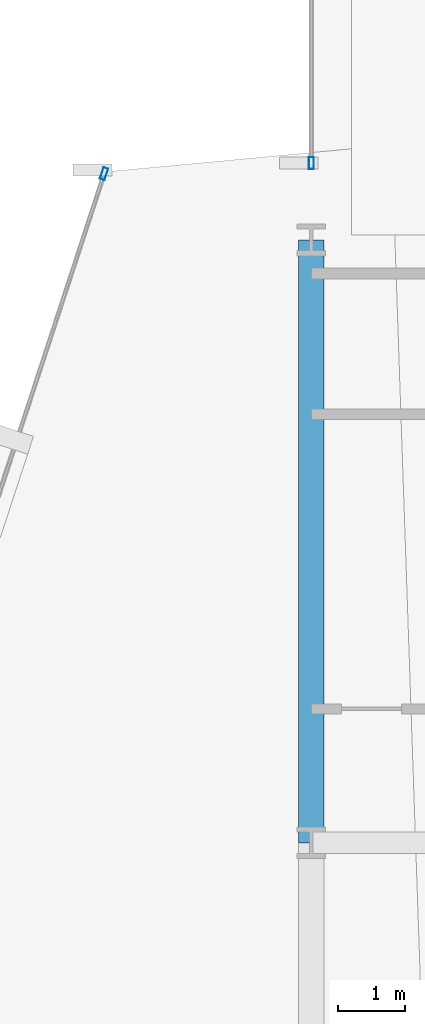
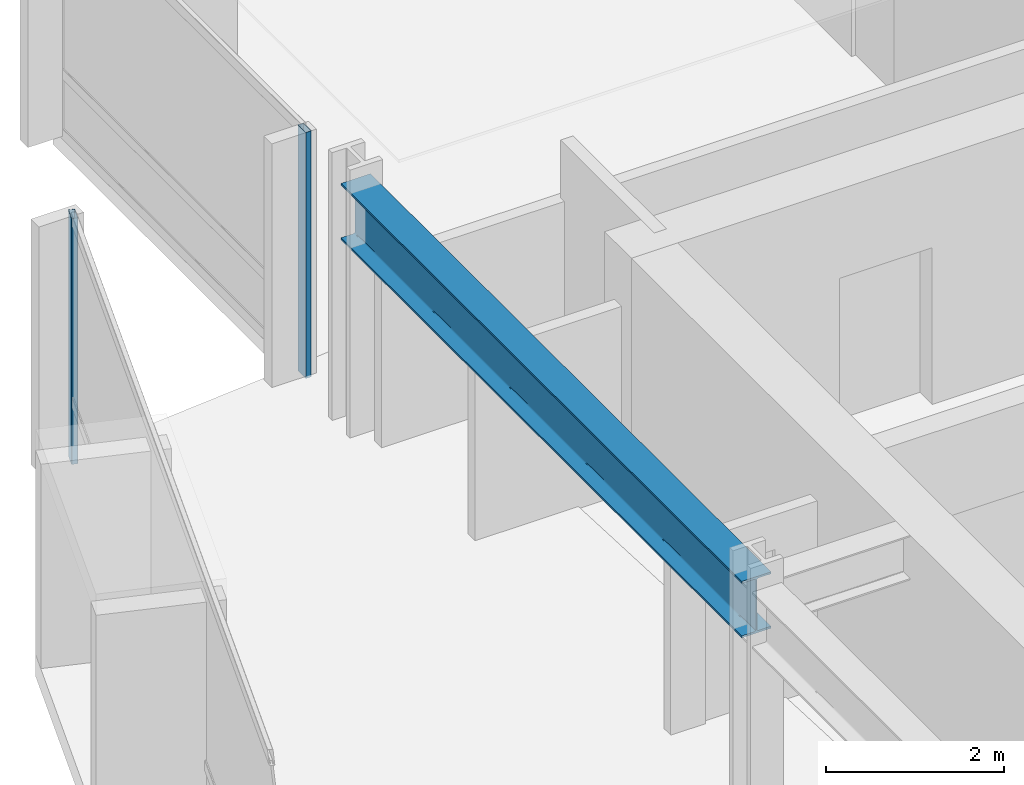
# One storey, part 19 of 34: 2 members, 1 beam, 2 elements without a shape of their own.
"""IFC4 building model written with IfcOpenShell, lengths in metres."""

from ifc_helpers import new_model, si_unit, direction, frame, origin, origin_2d, place, context, subcontext, project, spatial, hollow_rectangle, i_section, extrude, material, layer, layer_set, material_profile, profile_set, type_object, element, aggregate, save


model = new_model("IFC4")

# Units and contexts
model_context = context("Model", 3, precision=1e-05, world=origin(), true_north=direction((0.0, 1.0)))
body_context = subcontext(model_context, "Body", "Model", "MODEL_VIEW")
ifc_project = project(units=[si_unit("LENGTHUNIT", "METRE"), si_unit("AREAUNIT", "SQUARE_METRE"), si_unit("VOLUMEUNIT", "CUBIC_METRE"), si_unit("PLANEANGLEUNIT", "RADIAN"), si_unit("MASSUNIT", "GRAM", prefix="KILO")], contexts=[model_context])

# Site, building, storey
site_placement = place(None, origin())
site = spatial("IfcSite", under=ifc_project, at=site_placement, CompositionType="ELEMENT")
building_placement = place(site_placement, origin())
building = spatial("IfcBuilding", under=site, at=building_placement, Name="Solvaryn Broadcast Tower", CompositionType="ELEMENT")
storey_placement = place(building_placement, frame((0.0, 0.0, 96.5)))
storey = spatial("IfcBuildingStorey", under=building, at=storey_placement, Name="L23", CompositionType="ELEMENT", Elevation=96.5)

# Beam
ifc_material_1 = material(Name="Steel ASTM A992 Grade 50", Category="steel")
ifc_material_profile_1 = material_profile(ifc_material_1, i_section(OverallWidth=0.381103515625, OverallDepth=0.77294921875, WebThickness=0.0166015625, FlangeThickness=0.027099609375, FilletRadius=0.01806640625, at=origin_2d()))
ifc_profile_set_1 = profile_set([ifc_material_profile_1], Name="Steel ASTM A992 Grade 50")
beam_type = type_object("IfcBeamType", Name="BM-SP1-W30X173", PredefinedType="USERDEFINED", material=ifc_profile_set_1)
beam_placement = place(storey_placement, frame((9.0, 36.0, 2.9833984375), z_axis=(0.0, 1.0, 0.0), x_axis=(-1.0, 0.0, 0.0)))
element("IfcBeam", 1, at=beam_placement, inside=storey, type_object=beam_type, Name="L23 Spandrel Beam Y (36-45 @ X=9)", ObjectType="SPANDREL", PredefinedType="USERDEFINED", context=body_context, shape_type="SweptSolid", body=[
    extrude(i_section(OverallWidth=0.381103515625, OverallDepth=0.77294921875, WebThickness=0.0166015625, FlangeThickness=0.027099609375, FilletRadius=0.01806640625, at=origin_2d()), origin(), (0.0, 0.0, 1.0), 9.0),
])

# Curtain wall, member
ifc_material_2 = material(Name="Aluminium and Terracotta Unitised Curtain Wall", Category="masonry")
ifc_layer = layer(ifc_material_2, 0.199951171875)
ifc_layer_set = layer_set([ifc_layer], Name="CW-SYS2-LOWMID")
curtain_wall_type = type_object("IfcCurtainWallType", Name="CW-SYS2-LOWMID", PredefinedType="NOTDEFINED", material=ifc_layer_set)
curtain_wall_1_placement = place(storey_placement, origin())
curtain_wall_1 = element("IfcCurtainWall", 2, at=curtain_wall_1_placement, inside=storey, type_object=curtain_wall_type, Name="L23 Curtain Wall DR1", PredefinedType="NOTDEFINED")
ifc_material_3 = material(Name="Anodised Aluminium 6063-T6", Category="aluminium")
ifc_material_profile_2 = material_profile(ifc_material_3, hollow_rectangle(XDim=0.074951171875, YDim=0.179931640625, WallThickness=0.00390625, InnerFilletRadius=0.00390625, OuterFilletRadius=0.008056640625, at=origin_2d()))
ifc_profile_set_2 = profile_set([ifc_material_profile_2], Name="Anodised Aluminium 6063-T6")
member_type = type_object("IfcMemberType", Name="CW-MUL-180", PredefinedType="MULLION", material=ifc_profile_set_2)
member_1_placement = place(storey_placement, frame((5.90673828125, 45.987548828125, 0.0), z_axis=(0.0, 0.0, 1.0), x_axis=(0.950215318429, -0.311594044587, 0.0)))
member_1 = element("IfcMember", 3, at=member_1_placement, type_object=member_type, Name="CWS2 mullion 1", PredefinedType="MULLION", context=body_context, shape_type="SweptSolid", body=[
    extrude(hollow_rectangle(XDim=0.074951171875, YDim=0.179931640625, WallThickness=0.00390625, InnerFilletRadius=0.00390625, OuterFilletRadius=0.008056640625, at=origin_2d()), origin(), (0.0, 0.0, 1.0), 3.3701171875),
])
aggregate(curtain_wall_1, [member_1])

curtain_wall_2_placement = place(storey_placement, origin())
curtain_wall_2 = element("IfcCurtainWall", 4, at=curtain_wall_2_placement, inside=storey, type_object=curtain_wall_type, Name="L23 Curtain Wall W2", PredefinedType="NOTDEFINED")
member_2_placement = place(storey_placement, frame((9.0, 46.14599609375, 0.0), z_axis=(0.0, 0.0, 1.0), x_axis=(-1.0, 0.0, 0.0)))
member_2 = element("IfcMember", 5, at=member_2_placement, type_object=member_type, Name="CWS2 mullion 1", PredefinedType="MULLION", context=body_context, shape_type="SweptSolid", body=[
    extrude(hollow_rectangle(XDim=0.074951171875, YDim=0.179931640625, WallThickness=0.00390625, InnerFilletRadius=0.00390625, OuterFilletRadius=0.008056640625, at=origin_2d()), origin(), (0.0, 0.0, 1.0), 3.3701171875),
])
aggregate(curtain_wall_2, [member_2])

save(model, "model.ifc")
